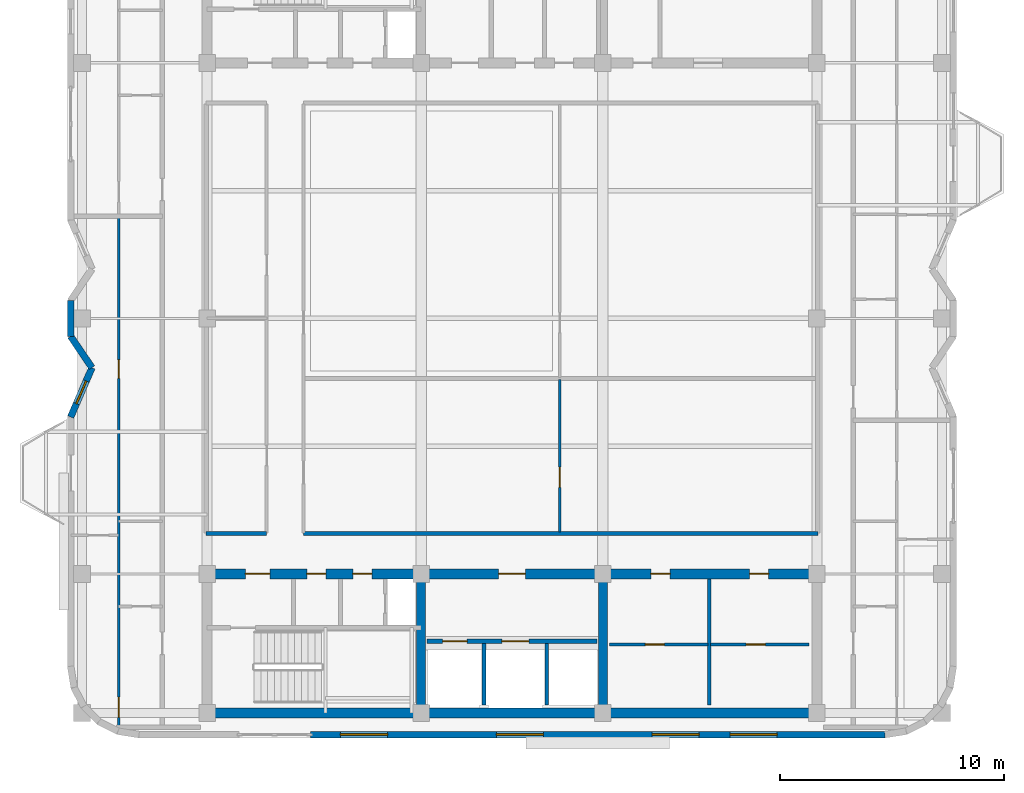
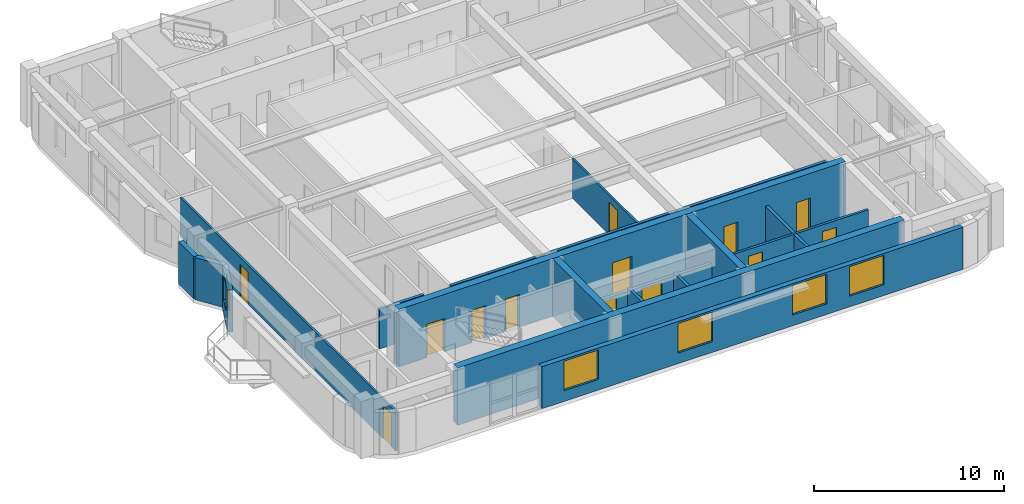
# One storey, part 5 of 11: 18 walls, 13 doors, 5 windows, 18 openings.
"""IFC4 building model written with IfcOpenShell, lengths in metres."""

from ifc_helpers import new_model, si_unit, direction, frame, frame_2d, origin, place, context, subcontext, project, spatial, rectangle, extrude, material, layer, layer_set, type_object, element, fill, save


model = new_model("IFC4")

# Units and contexts
model_context = context("Model", 3, precision=1e-05, world=origin(), true_north=direction((0.0, 1.0)))
body_context = subcontext(model_context, "Body", "Model", "MODEL_VIEW")
ifc_project = project(units=[si_unit("LENGTHUNIT", "METRE"), si_unit("AREAUNIT", "SQUARE_METRE"), si_unit("VOLUMEUNIT", "CUBIC_METRE"), si_unit("PLANEANGLEUNIT", "RADIAN"), si_unit("MASSUNIT", "GRAM", prefix="KILO")], contexts=[model_context])

# Site, building, storey
site_placement = place(None, origin())
site = spatial("IfcSite", under=ifc_project, at=site_placement, CompositionType="ELEMENT")
building_placement = place(site_placement, origin())
building = spatial("IfcBuilding", under=site, at=building_placement, Name="Svetorya Sky Lyceum", CompositionType="ELEMENT")
storey_placement = place(building_placement, frame((0.0, 0.0, 293.5)))
storey = spatial("IfcBuildingStorey", under=building, at=storey_placement, Name="L74", CompositionType="ELEMENT", Elevation=293.5)

# Walls
ifc_material_1 = material(Name="Concrete C40/50", Category="concrete")
ifc_layer_1 = layer(ifc_material_1, 0.39990234375)
ifc_layer_set_1 = layer_set([ifc_layer_1], Name="Concrete C40/50")
wall_type_1 = type_object("IfcWallType", Name="WL-CORE-400", PredefinedType="SHEAR", material=ifc_layer_set_1)
for number, where, z_axis, x_axis, name in (
    (1, (35.14990234375, 10.824951171875, 0.0), (0.0, 0.0, 1.0), (0.0, 1.0, 0.0), "L74 SC Internal Shear Web WEB1"),
    (2, (43.25, 10.824951171875, 0.0), (0.0, 0.0, 1.0), (0.0, 1.0, 0.0), "L74 SC Internal Shear Web WEB2"),
):
    element("IfcWall", number, at=place(storey_placement, frame(where, z_axis=z_axis, x_axis=x_axis)), inside=storey, type_object=wall_type_1, Name=name, PredefinedType="SHEAR", context=body_context, shape_type="SweptSolid", body=[
        extrude(rectangle(XDim=5.75, YDim=0.39990234375, at=frame_2d((2.875, 0.0))), origin(), (0.0, 0.0, 1.0), 3.699951171875),
    ])
ifc_material_2 = material(Name="Concrete C50/60", Category="concrete")
ifc_layer_2 = layer(ifc_material_2, 0.449951171875)
ifc_layer_set_2 = layer_set([ifc_layer_2], Name="Concrete C50/60")
wall_type_2 = type_object("IfcWallType", Name="WL-CORE-450", PredefinedType="SHEAR", material=ifc_layer_set_2)
wall_1_placement = place(storey_placement, frame((52.800048828125, 10.60009765625, 0.0), z_axis=(0.0, 0.0, 1.0), x_axis=(-1.0, 0.0, 0.0)))
element("IfcWall", 3, at=wall_1_placement, inside=storey, type_object=wall_type_2, Name="L74 SC Outer Core Shear Wall", PredefinedType="SHEAR", context=body_context, shape_type="SweptSolid", body=[
    extrude(rectangle(XDim=27.199951171875, YDim=0.449951171875, at=frame_2d((13.60009765625, 0.0))), origin(), (0.0, 0.0, 1.0), 3.699951171875),
])

# Wall, openings, doors
wall_2_placement = place(storey_placement, frame((25.60009765625, 16.800048828125, 0.0), z_axis=(0.0, 0.0, 1.0), x_axis=(1.0, 0.0, 0.0)))
wall_2 = element("IfcWall", 4, at=wall_2_placement, inside=storey, type_object=wall_type_2, Name="L74 SC Inner Core Shear Wall", PredefinedType="SHEAR", context=body_context, shape_type="SweptSolid", body=[
    extrude(rectangle(XDim=27.199951171875, YDim=0.449951171875, at=frame_2d((13.60009765625, 0.0))), origin(), (0.0, 0.0, 1.0), 3.699951171875),
])
opening_1_placement = place(wall_2_placement, frame((1.699951171875, 0.0, 0.0)))
opening_1 = element("IfcOpeningElement", 5, at=opening_1_placement, cuts=wall_2, Name="Opening D-ST1", PredefinedType="OPENING", context=body_context, shape_type="SweptSolid", body=[
    extrude(rectangle(XDim=1.10009765625, YDim=2.14990234375, at=frame_2d((0.550048828125, 1.074951171875))), frame((0.0, 0.23486328125, 0.0), z_axis=(0.0, -1.0, 0.0), x_axis=(1.0, 0.0, 0.0)), (0.0, 0.0, 1.0), 0.469970703125),
])
opening_2_placement = place(wall_2_placement, frame((4.449951171875, 0.0, 0.0)))
opening_2 = element("IfcOpeningElement", 6, at=opening_2_placement, cuts=wall_2, Name="Opening D-CWC1", PredefinedType="OPENING", context=body_context, shape_type="SweptSolid", body=[
    extrude(rectangle(XDim=0.85009765625, YDim=2.10009765625, at=frame_2d((0.425048828125, 1.050048828125))), frame((0.0, 0.23486328125, 0.0), z_axis=(0.0, -1.0, 0.0), x_axis=(1.0, 0.0, 0.0)), (0.0, 0.0, 1.0), 0.469970703125),
])
opening_3_placement = place(wall_2_placement, frame((6.5, 0.0, 0.0)))
opening_3 = element("IfcOpeningElement", 7, at=opening_3_placement, cuts=wall_2, Name="Opening D-CWC1", PredefinedType="OPENING", context=body_context, shape_type="SweptSolid", body=[
    extrude(rectangle(XDim=0.85009765625, YDim=2.10009765625, at=frame_2d((0.425048828125, 1.050048828125))), frame((0.0, 0.23486328125, 0.0), z_axis=(0.0, -1.0, 0.0), x_axis=(1.0, 0.0, 0.0)), (0.0, 0.0, 1.0), 0.469970703125),
])
opening_4_placement = place(wall_2_placement, frame((13.0, 0.0, 0.0)))
opening_4 = element("IfcOpeningElement", 8, at=opening_4_placement, cuts=wall_2, Name="Opening D-FL1", PredefinedType="OPENING", context=body_context, shape_type="SweptSolid", body=[
    extrude(rectangle(XDim=1.199951171875, YDim=2.14990234375, at=frame_2d((0.60009765625, 1.074951171875))), frame((0.0, 0.23486328125, 0.0), z_axis=(0.0, -1.0, 0.0), x_axis=(1.0, 0.0, 0.0)), (0.0, 0.0, 1.0), 0.469970703125),
])
opening_5_placement = place(wall_2_placement, frame((19.800048828125, 0.0, 0.0)))
opening_5 = element("IfcOpeningElement", 9, at=opening_5_placement, cuts=wall_2, Name="Opening D-CWC1", PredefinedType="OPENING", context=body_context, shape_type="SweptSolid", body=[
    extrude(rectangle(XDim=0.85009765625, YDim=2.10009765625, at=frame_2d((0.425048828125, 1.050048828125))), frame((0.0, 0.23486328125, 0.0), z_axis=(0.0, -1.0, 0.0), x_axis=(1.0, 0.0, 0.0)), (0.0, 0.0, 1.0), 0.469970703125),
])
opening_6_placement = place(wall_2_placement, frame((24.199951171875, 0.0, 0.0)))
opening_6 = element("IfcOpeningElement", 10, at=opening_6_placement, cuts=wall_2, Name="Opening D-CWC1", PredefinedType="OPENING", context=body_context, shape_type="SweptSolid", body=[
    extrude(rectangle(XDim=0.85009765625, YDim=2.10009765625, at=frame_2d((0.425048828125, 1.050048828125))), frame((0.0, 0.23486328125, 0.0), z_axis=(0.0, -1.0, 0.0), x_axis=(1.0, 0.0, 0.0)), (0.0, 0.0, 1.0), 0.469970703125),
])
ifc_material_3 = material(Name="Fire-rated galvanized steel core service closet door", Category="steel")
door_type_1 = type_object("IfcDoorType", Name="DR-CWET-850", OperationType="SINGLE_SWING_LEFT", PredefinedType="DOOR", material=ifc_material_3)
door_1_placement = place(opening_2_placement, origin())
door_1 = element("IfcDoor", 11, at=door_1_placement, inside=storey, type_object=door_type_1, Name="L74 South Mop Closet Door", OperationType="SINGLE_SWING_LEFT", OverallHeight=2.10009765625, OverallWidth=0.85009765625, PredefinedType="DOOR", context=body_context, shape_type="SweptSolid", body=[
    extrude(rectangle(XDim=0.85009765625, YDim=2.10009765625, at=frame_2d((0.425048828125, 1.050048828125))), frame((0.0, 0.02490234375, 0.0), z_axis=(0.0, -1.0, 0.0), x_axis=(1.0, 0.0, 0.0)), (0.0, 0.0, 1.0), 0.050048828125),
])
fill(opening_2, door_1)
door_2_placement = place(opening_3_placement, origin())
door_2 = element("IfcDoor", 12, at=door_2_placement, inside=storey, type_object=door_type_1, Name="L74 South West WC Door", OperationType="SINGLE_SWING_RIGHT", OverallHeight=2.10009765625, OverallWidth=0.85009765625, PredefinedType="DOOR", context=body_context, shape_type="SweptSolid", body=[
    extrude(rectangle(XDim=0.85009765625, YDim=2.10009765625, at=frame_2d((0.425048828125, 1.050048828125))), frame((0.0, 0.02490234375, 0.0), z_axis=(0.0, -1.0, 0.0), x_axis=(1.0, 0.0, 0.0)), (0.0, 0.0, 1.0), 0.050048828125),
])
fill(opening_3, door_2)
door_3_placement = place(opening_5_placement, origin())
door_3 = element("IfcDoor", 13, at=door_3_placement, inside=storey, type_object=door_type_1, Name="L74 Housekeeping Door", OperationType="SINGLE_SWING_LEFT", OverallHeight=2.10009765625, OverallWidth=0.85009765625, PredefinedType="DOOR", context=body_context, shape_type="SweptSolid", body=[
    extrude(rectangle(XDim=0.85009765625, YDim=2.10009765625, at=frame_2d((0.425048828125, 1.050048828125))), frame((0.0, 0.02490234375, 0.0), z_axis=(0.0, -1.0, 0.0), x_axis=(1.0, 0.0, 0.0)), (0.0, 0.0, 1.0), 0.050048828125),
])
fill(opening_5, door_3)
door_4_placement = place(opening_6_placement, origin())
door_4 = element("IfcDoor", 14, at=door_4_placement, inside=storey, type_object=door_type_1, Name="L74 South WC Door", OperationType="SINGLE_SWING_RIGHT", OverallHeight=2.10009765625, OverallWidth=0.85009765625, PredefinedType="DOOR", context=body_context, shape_type="SweptSolid", body=[
    extrude(rectangle(XDim=0.85009765625, YDim=2.10009765625, at=frame_2d((0.425048828125, 1.050048828125))), frame((0.0, 0.02490234375, 0.0), z_axis=(0.0, -1.0, 0.0), x_axis=(1.0, 0.0, 0.0)), (0.0, 0.0, 1.0), 0.050048828125),
])
fill(opening_6, door_4)
ifc_material_4 = material(Name="Powder-coated insulated galvanized stair fire door")
door_type_2 = type_object("IfcDoorType", Name="DR-FIRE-1100", OperationType="SINGLE_SWING_LEFT", PredefinedType="DOOR", material=ifc_material_4)
door_5_placement = place(opening_1_placement, origin())
door_5 = element("IfcDoor", 15, at=door_5_placement, inside=storey, type_object=door_type_2, Name="L74 South Stair Airlock Door", OperationType="SINGLE_SWING_RIGHT", OverallHeight=2.14990234375, OverallWidth=1.10009765625, PredefinedType="DOOR", context=body_context, shape_type="SweptSolid", body=[
    extrude(rectangle(XDim=1.10009765625, YDim=2.14990234375, at=frame_2d((0.550048828125, 1.074951171875))), frame((0.0, 0.02490234375, 0.0), z_axis=(0.0, -1.0, 0.0), x_axis=(1.0, 0.0, 0.0)), (0.0, 0.0, 1.0), 0.050048828125),
])
fill(opening_1, door_5)
ifc_material_5 = material(Name="Powder-coated insulated galvanized fire door")
door_type_3 = type_object("IfcDoorType", Name="DR-FIRE-1200", OperationType="SINGLE_SWING_LEFT", PredefinedType="DOOR", material=ifc_material_5)
door_6_placement = place(opening_4_placement, origin())
door_6 = element("IfcDoor", 16, at=door_6_placement, inside=storey, type_object=door_type_3, Name="L74 South Firefighting Lift Lobby Door", OperationType="SINGLE_SWING_LEFT", OverallHeight=2.14990234375, OverallWidth=1.199951171875, PredefinedType="DOOR", context=body_context, shape_type="SweptSolid", body=[
    extrude(rectangle(XDim=1.199951171875, YDim=2.14990234375, at=frame_2d((0.60009765625, 1.074951171875))), frame((0.0, 0.02490234375, 0.0), z_axis=(0.0, -1.0, 0.0), x_axis=(1.0, 0.0, 0.0)), (0.0, 0.0, 1.0), 0.050048828125),
])
fill(opening_4, door_6)

# Wall, openings, windows
ifc_material_6 = material(Name="Putilovo limestone rainscreen on autoclaved cellular masonry", Category="masonry")
ifc_layer_3 = layer(ifc_material_6, 0.300048828125)
ifc_layer_set_3 = layer_set([ifc_layer_3], Name="Putilovo limestone rainscreen on autoclaved cellular masonry")
wall_type_3 = type_object("IfcWallType", Name="WL-EXT-300", PredefinedType="SOLIDWALL", material=ifc_layer_set_3)
wall_3_placement = place(storey_placement, frame((30.2099609375, 9.6298828125, 0.0), z_axis=(0.0, 0.0, 1.0), x_axis=(1.0, 0.0, 0.0)))
wall_3 = element("IfcWall", 17, at=wall_3_placement, inside=storey, type_object=wall_type_3, Name="L74 Limestone Exterior Wall 6B", PredefinedType="SOLIDWALL", context=body_context, shape_type="SweptSolid", body=[
    extrude(rectangle(XDim=25.630126953125, YDim=0.300048828125, at=frame_2d((12.81494140625, 0.0))), origin(), (0.0, 0.0, 1.0), 2.7099609375),
])
opening_7_placement = place(wall_3_placement, frame((1.337890625, 0.0, 0.68994140625)))
opening_7 = element("IfcOpeningElement", 18, at=opening_7_placement, cuts=wall_3, Name="Opening W-R0", PredefinedType="OPENING", context=body_context, shape_type="SweptSolid", body=[
    extrude(rectangle(XDim=2.10009765625, YDim=1.89990234375, at=frame_2d((1.050048828125, 0.949951171875))), frame((0.0, 0.159912109375, 0.0), z_axis=(0.0, -1.0, 0.0), x_axis=(1.0, 0.0, 0.0)), (0.0, 0.0, 1.0), 0.320068359375),
])
opening_8_placement = place(wall_3_placement, frame((8.289306640625, 0.0, 0.68994140625)))
opening_8 = element("IfcOpeningElement", 19, at=opening_8_placement, cuts=wall_3, Name="Opening W-R0", PredefinedType="OPENING", context=body_context, shape_type="SweptSolid", body=[
    extrude(rectangle(XDim=2.10009765625, YDim=1.89990234375, at=frame_2d((1.050048828125, 0.949951171875))), frame((0.0, 0.159912109375, 0.0), z_axis=(0.0, -1.0, 0.0), x_axis=(1.0, 0.0, 0.0)), (0.0, 0.0, 1.0), 0.320068359375),
])
opening_9_placement = place(wall_3_placement, frame((15.24072265625, 0.0, 0.68994140625)))
opening_9 = element("IfcOpeningElement", 20, at=opening_9_placement, cuts=wall_3, Name="Opening W-R0", PredefinedType="OPENING", context=body_context, shape_type="SweptSolid", body=[
    extrude(rectangle(XDim=2.10009765625, YDim=1.89990234375, at=frame_2d((1.050048828125, 0.949951171875))), frame((0.0, 0.159912109375, 0.0), z_axis=(0.0, -1.0, 0.0), x_axis=(1.0, 0.0, 0.0)), (0.0, 0.0, 1.0), 0.320068359375),
])
opening_10_placement = place(wall_3_placement, frame((18.71630859375, 0.0, 0.68994140625)))
opening_10 = element("IfcOpeningElement", 21, at=opening_10_placement, cuts=wall_3, Name="Opening W-R0", PredefinedType="OPENING", context=body_context, shape_type="SweptSolid", body=[
    extrude(rectangle(XDim=2.10009765625, YDim=1.89990234375, at=frame_2d((1.050048828125, 0.949951171875))), frame((0.0, 0.159912109375, 0.0), z_axis=(0.0, -1.0, 0.0), x_axis=(1.0, 0.0, 0.0)), (0.0, 0.0, 1.0), 0.320068359375),
])
ifc_material_7 = material(Name="Thermally broken aluminium frame with triple low-E glazing", Category="aluminium")
window_type_1 = type_object("IfcWindowType", Name="WN-RES-210", PartitioningType="TRIPLE_PANEL_VERTICAL", PredefinedType="WINDOW", material=ifc_material_7)
window_1_placement = place(opening_7_placement, origin())
window_1 = element("IfcWindow", 22, at=window_1_placement, inside=storey, type_object=window_type_1, Name="L74 Facade Window W-R0.6B.1", OverallHeight=1.89990234375, OverallWidth=2.10009765625, PartitioningType="SINGLE_PANEL", PredefinedType="WINDOW", context=body_context, shape_type="SweptSolid", body=[
    extrude(rectangle(XDim=2.10009765625, YDim=1.89990234375, at=frame_2d((1.050048828125, 0.949951171875))), frame((0.0, 0.030029296875, 0.0), z_axis=(0.0, -1.0, 0.0), x_axis=(1.0, 0.0, 0.0)), (0.0, 0.0, 1.0), 0.06005859375),
])
fill(opening_7, window_1)
window_2_placement = place(opening_8_placement, origin())
window_2 = element("IfcWindow", 23, at=window_2_placement, inside=storey, type_object=window_type_1, Name="L74 Facade Window W-R0.6B.2", OverallHeight=1.89990234375, OverallWidth=2.10009765625, PartitioningType="SINGLE_PANEL", PredefinedType="WINDOW", context=body_context, shape_type="SweptSolid", body=[
    extrude(rectangle(XDim=2.10009765625, YDim=1.89990234375, at=frame_2d((1.050048828125, 0.949951171875))), frame((0.0, 0.030029296875, 0.0), z_axis=(0.0, -1.0, 0.0), x_axis=(1.0, 0.0, 0.0)), (0.0, 0.0, 1.0), 0.06005859375),
])
fill(opening_8, window_2)
window_3_placement = place(opening_9_placement, origin())
window_3 = element("IfcWindow", 24, at=window_3_placement, inside=storey, type_object=window_type_1, Name="L74 Facade Window W-R0.6B.3", OverallHeight=1.89990234375, OverallWidth=2.10009765625, PartitioningType="SINGLE_PANEL", PredefinedType="WINDOW", context=body_context, shape_type="SweptSolid", body=[
    extrude(rectangle(XDim=2.10009765625, YDim=1.89990234375, at=frame_2d((1.050048828125, 0.949951171875))), frame((0.0, 0.030029296875, 0.0), z_axis=(0.0, -1.0, 0.0), x_axis=(1.0, 0.0, 0.0)), (0.0, 0.0, 1.0), 0.06005859375),
])
fill(opening_9, window_3)
window_4_placement = place(opening_10_placement, origin())
window_4 = element("IfcWindow", 25, at=window_4_placement, inside=storey, type_object=window_type_1, Name="L74 Facade Window W-R0.6B.4", OverallHeight=1.89990234375, OverallWidth=2.10009765625, PartitioningType="SINGLE_PANEL", PredefinedType="WINDOW", context=body_context, shape_type="SweptSolid", body=[
    extrude(rectangle(XDim=2.10009765625, YDim=1.89990234375, at=frame_2d((1.050048828125, 0.949951171875))), frame((0.0, 0.030029296875, 0.0), z_axis=(0.0, -1.0, 0.0), x_axis=(1.0, 0.0, 0.0)), (0.0, 0.0, 1.0), 0.06005859375),
])
fill(opening_10, window_4)

# Walls
wall_4_placement = place(storey_placement, frame((19.510009765625, 29.0, 0.0), z_axis=(0.0, 0.0, 1.0), x_axis=(0.0, -1.0, 0.0)))
element("IfcWall", 26, at=wall_4_placement, inside=storey, type_object=wall_type_3, Name="L74 Limestone Exterior Wall 33M", PredefinedType="SOLIDWALL", context=body_context, shape_type="SweptSolid", body=[
    extrude(rectangle(XDim=1.60009765625, YDim=0.300048828125, at=frame_2d((0.800048828125, 0.0))), origin(), (0.0, 0.0, 1.0), 2.7099609375),
])
wall_5_placement = place(storey_placement, frame((19.510009765625, 27.39990234375, 0.0), z_axis=(0.0, 0.0, 1.0), x_axis=(0.561508476251, -0.827470985049, 0.0)))
element("IfcWall", 27, at=wall_5_placement, inside=storey, type_object=wall_type_3, Name="L74 Limestone Exterior Wall 34M", PredefinedType="SOLIDWALL", context=body_context, shape_type="SweptSolid", body=[
    extrude(rectangle(XDim=1.69189453125, YDim=0.300048828125, at=frame_2d((0.845947265625, 0.0))), origin(), (0.0, 0.0, 1.0), 2.7099609375),
])

# Wall, opening, window
wall_6_placement = place(storey_placement, frame((20.4599609375, 26.0, 0.0), z_axis=(0.0, 0.0, 1.0), x_axis=(-0.396426258231, -0.918066567186, 0.0)))
wall_6 = element("IfcWall", 28, at=wall_6_placement, inside=storey, type_object=wall_type_3, Name="L74 Limestone Exterior Wall 35M", PredefinedType="SOLIDWALL", context=body_context, shape_type="SweptSolid", body=[
    extrude(rectangle(XDim=2.396240234375, YDim=0.300048828125, at=frame_2d((1.1982421875, 0.0))), origin(), (0.0, 0.0, 1.0), 2.7099609375),
])
opening_11_placement = place(wall_6_placement, frame((0.648193359375, 0.0, 0.89990234375)))
opening_11 = element("IfcOpeningElement", 29, at=opening_11_placement, cuts=wall_6, Name="Opening W-R3", PredefinedType="OPENING", context=body_context, shape_type="SweptSolid", body=[
    extrude(rectangle(XDim=1.10009765625, YDim=1.64990234375, at=frame_2d((0.550048828125, 0.824951171875))), frame((0.0, 0.159912109375, 0.0), z_axis=(0.0, -1.0, 0.0), x_axis=(1.0, 0.0, 0.0)), (0.0, 0.0, 1.0), 0.320068359375),
])
window_type_2 = type_object("IfcWindowType", Name="WN-RES-110", PartitioningType="SINGLE_PANEL", PredefinedType="WINDOW", material=ifc_material_7)
window_5_placement = place(opening_11_placement, origin())
window_5 = element("IfcWindow", 30, at=window_5_placement, inside=storey, type_object=window_type_2, Name="L74 Facade Window W-R3.35M.1", OverallHeight=1.64990234375, OverallWidth=1.10009765625, PartitioningType="SINGLE_PANEL", PredefinedType="WINDOW", context=body_context, shape_type="SweptSolid", body=[
    extrude(rectangle(XDim=1.10009765625, YDim=1.64990234375, at=frame_2d((0.550048828125, 0.824951171875))), frame((0.0, 0.030029296875, 0.0), z_axis=(0.0, -1.0, 0.0), x_axis=(1.0, 0.0, 0.0)), (0.0, 0.0, 1.0), 0.06005859375),
])
fill(opening_11, window_5)

# Wall, opening, door
ifc_material_8 = material(Name="Twin-stud galvanized framing with double fireboard", Category="gypsum")
ifc_layer_4 = layer(ifc_material_8, 0.1201171875)
ifc_layer_set_4 = layer_set([ifc_layer_4], Name="Twin-stud galvanized framing with double fireboard")
wall_type_4 = type_object("IfcWallType", Name="WL-PART-120", PredefinedType="PARTITIONING", material=ifc_layer_set_4)
wall_7_placement = place(storey_placement, frame((41.3349609375, 18.659912109375, 0.0), z_axis=(0.0, 0.0, 1.0), x_axis=(0.0, 1.0, 0.0)))
wall_7 = element("IfcWall", 31, at=wall_7_placement, inside=storey, type_object=wall_type_4, Name="L74 Interior Partition OFF-VEM1", PredefinedType="PARTITIONING", context=body_context, shape_type="SweptSolid", body=[
    extrude(rectangle(XDim=6.820556640625, YDim=0.1201171875, at=frame_2d((3.41015625, 0.0))), origin(), (0.0, 0.0, 1.0), 2.5400390625),
])
opening_12_placement = place(wall_7_placement, frame((2.0, 0.0, 0.0)))
opening_12 = element("IfcOpeningElement", 32, at=opening_12_placement, cuts=wall_7, Name="Opening D-RM1", PredefinedType="OPENING", context=body_context, shape_type="SweptSolid", body=[
    extrude(rectangle(XDim=0.89990234375, YDim=2.10009765625, at=frame_2d((0.449951171875, 1.050048828125))), frame((0.0, 0.070068359375, 0.0), z_axis=(0.0, -1.0, 0.0), x_axis=(1.0, 0.0, 0.0)), (0.0, 0.0, 1.0), 0.14013671875),
])
ifc_material_9 = material(Name="Lacquered birch veneer internal door")
door_type_4 = type_object("IfcDoorType", Name="DR-INT-900", OperationType="SINGLE_SWING_LEFT", PredefinedType="DOOR", material=ifc_material_9)
door_7_placement = place(opening_12_placement, origin())
door_7 = element("IfcDoor", 33, at=door_7_placement, inside=storey, type_object=door_type_4, Name="L74 East Study Door", OperationType="SINGLE_SWING_LEFT", OverallHeight=2.10009765625, OverallWidth=0.89990234375, PredefinedType="DOOR", context=body_context, shape_type="SweptSolid", body=[
    extrude(rectangle(XDim=0.89990234375, YDim=2.10009765625, at=frame_2d((0.449951171875, 1.050048828125))), frame((0.0, 0.02490234375, 0.0), z_axis=(0.0, -1.0, 0.0), x_axis=(1.0, 0.0, 0.0)), (0.0, 0.0, 1.0), 0.050048828125),
])
fill(opening_12, door_7)

# Wall, openings, doors
wall_8_placement = place(storey_placement, frame((21.64990234375, 9.989990234375, 0.0), z_axis=(0.0, 0.0, 1.0), x_axis=(0.0, 1.0, 0.0)))
wall_8 = element("IfcWall", 34, at=wall_8_placement, inside=storey, type_object=wall_type_4, Name="L74 Interior Partition W1-WV", PredefinedType="PARTITIONING", context=body_context, shape_type="SweptSolid", body=[
    extrude(rectangle(XDim=22.719970703125, YDim=0.1201171875, at=frame_2d((11.35986328125, 0.0))), origin(), (0.0, 0.0, 1.0), 2.5400390625),
])
opening_13_placement = place(wall_8_placement, frame((0.409912109375, 0.0, 0.0)))
opening_13 = element("IfcOpeningElement", 35, at=opening_13_placement, cuts=wall_8, Name="Opening D-RM1", PredefinedType="OPENING", context=body_context, shape_type="SweptSolid", body=[
    extrude(rectangle(XDim=0.89990234375, YDim=2.10009765625, at=frame_2d((0.449951171875, 1.050048828125))), frame((0.0, 0.070068359375, 0.0), z_axis=(0.0, -1.0, 0.0), x_axis=(1.0, 0.0, 0.0)), (0.0, 0.0, 1.0), 0.14013671875),
])
opening_14_placement = place(wall_8_placement, frame((15.534912109375, 0.0, 0.0)))
opening_14 = element("IfcOpeningElement", 36, at=opening_14_placement, cuts=wall_8, Name="Opening D-BT2", PredefinedType="OPENING", context=body_context, shape_type="SweptSolid", body=[
    extrude(rectangle(XDim=0.820068359375, YDim=2.080078125, at=frame_2d((0.41015625, 1.0400390625))), frame((0.0, 0.070068359375, 0.0), z_axis=(0.0, -1.0, 0.0), x_axis=(1.0, 0.0, 0.0)), (0.0, 0.0, 1.0), 0.14013671875),
])
door_8_placement = place(opening_13_placement, origin())
door_8 = element("IfcDoor", 37, at=door_8_placement, inside=storey, type_object=door_type_4, Name="Apartment W1 Living Door", OperationType="SINGLE_SWING_RIGHT", OverallHeight=2.10009765625, OverallWidth=0.89990234375, PredefinedType="DOOR", context=body_context, shape_type="SweptSolid", body=[
    extrude(rectangle(XDim=0.89990234375, YDim=2.10009765625, at=frame_2d((0.449951171875, 1.050048828125))), frame((0.0, 0.02490234375, 0.0), z_axis=(0.0, -1.0, 0.0), x_axis=(1.0, 0.0, 0.0)), (0.0, 0.0, 1.0), 0.050048828125),
])
fill(opening_13, door_8)
ifc_material_10 = material(Name="Compact moisture-resistant laminate closet door")
door_type_5 = type_object("IfcDoorType", Name="DR-WET-820", OperationType="SINGLE_SWING_LEFT", PredefinedType="DOOR", material=ifc_material_10)
door_9_placement = place(opening_14_placement, origin())
door_9 = element("IfcDoor", 38, at=door_9_placement, inside=storey, type_object=door_type_5, Name="Apartment W1 Study Door", OperationType="SINGLE_SWING_LEFT", OverallHeight=2.080078125, OverallWidth=0.820068359375, PredefinedType="DOOR", context=body_context, shape_type="SweptSolid", body=[
    extrude(rectangle(XDim=0.820068359375, YDim=2.080078125, at=frame_2d((0.41015625, 1.0400390625))), frame((0.0, 0.02490234375, 0.0), z_axis=(0.0, -1.0, 0.0), x_axis=(1.0, 0.0, 0.0)), (0.0, 0.0, 1.0), 0.050048828125),
])
fill(opening_14, door_9)

# Wall, opening, door
ifc_material_11 = material(Name="Autoclaved cellular masonry blockwork with acoustic render", Category="masonry")
ifc_layer_5 = layer(ifc_material_11, 0.14990234375)
ifc_layer_set_5 = layer_set([ifc_layer_5], Name="Autoclaved cellular masonry blockwork with acoustic render")
wall_type_5 = type_object("IfcWallType", Name="WL-PART-150", PredefinedType="PARTITIONING", material=ifc_layer_set_5)
wall_9_placement = place(storey_placement, frame((43.550048828125, 13.64990234375, 0.0), z_axis=(0.0, 0.0, 1.0), x_axis=(1.0, 0.0, 0.0)))
wall_9 = element("IfcWall", 39, at=wall_9_placement, inside=storey, type_object=wall_type_5, Name="L74 Interior Partition SC-LV7-HW", PredefinedType="PARTITIONING", context=body_context, shape_type="SweptSolid", body=[
    extrude(rectangle(XDim=4.39990234375, YDim=0.14990234375, at=frame_2d((2.199951171875, 0.0))), origin(), (0.0, 0.0, 1.0), 2.5400390625),
])
opening_15_placement = place(wall_9_placement, frame((1.60009765625, 0.0, 0.0)))
opening_15 = element("IfcOpeningElement", 40, at=opening_15_placement, cuts=wall_9, Name="Opening D-CWC1", PredefinedType="OPENING", context=body_context, shape_type="SweptSolid", body=[
    extrude(rectangle(XDim=0.85009765625, YDim=2.10009765625, at=frame_2d((0.425048828125, 1.050048828125))), frame((0.0, 0.0849609375, 0.0), z_axis=(0.0, -1.0, 0.0), x_axis=(1.0, 0.0, 0.0)), (0.0, 0.0, 1.0), 0.169921875),
])
door_10_placement = place(opening_15_placement, origin())
door_10 = element("IfcDoor", 41, at=door_10_placement, inside=storey, type_object=door_type_1, Name="L74 South Electrical Room Door", OperationType="SINGLE_SWING_LEFT", OverallHeight=2.10009765625, OverallWidth=0.85009765625, PredefinedType="DOOR", context=body_context, shape_type="SweptSolid", body=[
    extrude(rectangle(XDim=0.85009765625, YDim=2.10009765625, at=frame_2d((0.425048828125, 1.050048828125))), frame((0.0, 0.02490234375, 0.0), z_axis=(0.0, -1.0, 0.0), x_axis=(1.0, 0.0, 0.0)), (0.0, 0.0, 1.0), 0.050048828125),
])
fill(opening_15, door_10)

wall_10_placement = place(storey_placement, frame((48.050048828125, 13.64990234375, 0.0), z_axis=(0.0, 0.0, 1.0), x_axis=(1.0, 0.0, 0.0)))
wall_10 = element("IfcWall", 42, at=wall_10_placement, inside=storey, type_object=wall_type_5, Name="L74 Interior Partition SC-LV7-HE", PredefinedType="PARTITIONING", context=body_context, shape_type="SweptSolid", body=[
    extrude(rectangle(XDim=4.39990234375, YDim=0.14990234375, at=frame_2d((2.199951171875, 0.0))), origin(), (0.0, 0.0, 1.0), 2.5400390625),
])
opening_16_placement = place(wall_10_placement, frame((1.60009765625, 0.0, 0.0)))
opening_16 = element("IfcOpeningElement", 43, at=opening_16_placement, cuts=wall_10, Name="Opening D-CWC1", PredefinedType="OPENING", context=body_context, shape_type="SweptSolid", body=[
    extrude(rectangle(XDim=0.85009765625, YDim=2.10009765625, at=frame_2d((0.425048828125, 1.050048828125))), frame((0.0, 0.0849609375, 0.0), z_axis=(0.0, -1.0, 0.0), x_axis=(1.0, 0.0, 0.0)), (0.0, 0.0, 1.0), 0.169921875),
])
door_11_placement = place(opening_16_placement, origin())
door_11 = element("IfcDoor", 44, at=door_11_placement, inside=storey, type_object=door_type_1, Name="L74 South Server Closet Door", OperationType="SINGLE_SWING_RIGHT", OverallHeight=2.10009765625, OverallWidth=0.85009765625, PredefinedType="DOOR", context=body_context, shape_type="SweptSolid", body=[
    extrude(rectangle(XDim=0.85009765625, YDim=2.10009765625, at=frame_2d((0.425048828125, 1.050048828125))), frame((0.0, 0.02490234375, 0.0), z_axis=(0.0, -1.0, 0.0), x_axis=(1.0, 0.0, 0.0)), (0.0, 0.0, 1.0), 0.050048828125),
])
fill(opening_16, door_11)

# Walls
ifc_material_12 = material(Name="Autoclaved cellular masonry blockwork with fire render", Category="masonry")
ifc_layer_6 = layer(ifc_material_12, 0.175048828125)
ifc_layer_set_6 = layer_set([ifc_layer_6], Name="Autoclaved cellular masonry blockwork with fire render")
wall_type_6 = type_object("IfcWallType", Name="WL-PART-175", PredefinedType="PARTITIONING", material=ifc_layer_set_6)
for number, where, z_axis, x_axis, name in (
    (45, (37.949951171875, 10.949951171875, 0.0), (0.0, 0.0, 1.0), (0.0, 1.0, 0.0), "L74 Interior Partition SC-SHD1"),
    (46, (40.75, 10.949951171875, 0.0), (0.0, 0.0, 1.0), (0.0, 1.0, 0.0), "L74 Interior Partition SC-SHD2"),
):
    element("IfcWall", number, at=place(storey_placement, frame(where, z_axis=z_axis, x_axis=x_axis)), inside=storey, type_object=wall_type_6, Name=name, PredefinedType="PARTITIONING", context=body_context, shape_type="SweptSolid", body=[
        extrude(rectangle(XDim=2.75, YDim=0.175048828125, at=frame_2d((1.375, 0.0))), origin(), (0.0, 0.0, 1.0), 2.5400390625),
    ])
wall_11_placement = place(storey_placement, frame((48.0, 10.949951171875, 0.0), z_axis=(0.0, 0.0, 1.0), x_axis=(0.0, 1.0, 0.0)))
element("IfcWall", 47, at=wall_11_placement, inside=storey, type_object=wall_type_6, Name="L74 Interior Partition SC-LV7-V", PredefinedType="PARTITIONING", context=body_context, shape_type="SweptSolid", body=[
    extrude(rectangle(XDim=5.630126953125, YDim=0.175048828125, at=frame_2d((2.81494140625, 0.0))), origin(), (0.0, 0.0, 1.0), 2.5400390625),
])
wall_12_placement = place(storey_placement, frame((25.550048828125, 18.60009765625, 0.0), z_axis=(0.0, 0.0, 1.0), x_axis=(1.0, 0.0, 0.0)))
element("IfcWall", 48, at=wall_12_placement, inside=storey, type_object=wall_type_6, Name="L74 Interior Partition OFF-CS-W", PredefinedType="PARTITIONING", context=body_context, shape_type="SweptSolid", body=[
    extrude(rectangle(XDim=2.699951171875, YDim=0.175048828125, at=frame_2d((1.35009765625, 0.0))), origin(), (0.0, 0.0, 1.0), 2.5400390625),
])
wall_13_placement = place(storey_placement, frame((29.89990234375, 18.60009765625, 0.0), z_axis=(0.0, 0.0, 1.0), x_axis=(1.0, 0.0, 0.0)))
element("IfcWall", 49, at=wall_13_placement, inside=storey, type_object=wall_type_6, Name="L74 Interior Partition OFF-CS-E", PredefinedType="PARTITIONING", context=body_context, shape_type="SweptSolid", body=[
    extrude(rectangle(XDim=22.9501953125, YDim=0.175048828125, at=frame_2d((11.47509765625, 0.0))), origin(), (0.0, 0.0, 1.0), 2.5400390625),
])

# Wall, openings, doors
ifc_material_13 = material(Name="Autoclaved cellular masonry blockwork with gypsum plaster", Category="masonry")
ifc_layer_7 = layer(ifc_material_13, 0.199951171875)
ifc_layer_set_7 = layer_set([ifc_layer_7], Name="Autoclaved cellular masonry blockwork with gypsum plaster")
wall_type_7 = type_object("IfcWallType", Name="WL-PART-200", PredefinedType="PARTITIONING", material=ifc_layer_set_7)
wall_14_placement = place(storey_placement, frame((35.39990234375, 13.800048828125, 0.0), z_axis=(0.0, 0.0, 1.0), x_axis=(1.0, 0.0, 0.0)))
wall_14 = element("IfcWall", 50, at=wall_14_placement, inside=storey, type_object=wall_type_7, Name="L74 Interior Partition SC-FLW", PredefinedType="PARTITIONING", context=body_context, shape_type="SweptSolid", body=[
    extrude(rectangle(XDim=7.60009765625, YDim=0.199951171875, at=frame_2d((3.800048828125, 0.0))), origin(), (0.0, 0.0, 1.0), 2.31005859375),
])
opening_17_placement = place(wall_14_placement, frame((0.699951171875, 0.0, 0.0)))
opening_17 = element("IfcOpeningElement", 51, at=opening_17_placement, cuts=wall_14, Name="Opening LD-FL", PredefinedType="OPENING", context=body_context, shape_type="SweptSolid", body=[
    extrude(rectangle(XDim=1.10009765625, YDim=2.14990234375, at=frame_2d((0.550048828125, 1.074951171875))), frame((0.0, 0.10986328125, 0.0), z_axis=(0.0, -1.0, 0.0), x_axis=(1.0, 0.0, 0.0)), (0.0, 0.0, 1.0), 0.219970703125),
])
opening_18_placement = place(wall_14_placement, frame((3.35009765625, 0.0, 0.0)))
opening_18 = element("IfcOpeningElement", 52, at=opening_18_placement, cuts=wall_14, Name="Opening LD-SV", PredefinedType="OPENING", context=body_context, shape_type="SweptSolid", body=[
    extrude(rectangle(XDim=1.199951171875, YDim=2.14990234375, at=frame_2d((0.60009765625, 1.074951171875))), frame((0.0, 0.10986328125, 0.0), z_axis=(0.0, -1.0, 0.0), x_axis=(1.0, 0.0, 0.0)), (0.0, 0.0, 1.0), 0.219970703125),
])
ifc_material_14 = material(Name="Fire-rated stainless AISI 304 firefighting lift landing door")
door_type_6 = type_object("IfcDoorType", Name="DR-LIFT-1100", OperationType="SLIDING_TO_LEFT", PredefinedType="DOOR", material=ifc_material_14)
door_12_placement = place(opening_17_placement, origin())
door_12 = element("IfcDoor", 53, at=door_12_placement, inside=storey, type_object=door_type_6, Name="L74 Firefighting Lift FL2 Landing Door", OperationType="SLIDING_TO_LEFT", OverallHeight=2.14990234375, OverallWidth=1.10009765625, PredefinedType="DOOR", context=body_context, shape_type="SweptSolid", body=[
    extrude(rectangle(XDim=1.10009765625, YDim=2.14990234375, at=frame_2d((0.550048828125, 1.074951171875))), frame((0.0, 0.02490234375, 0.0), z_axis=(0.0, -1.0, 0.0), x_axis=(1.0, 0.0, 0.0)), (0.0, 0.0, 1.0), 0.050048828125),
])
fill(opening_17, door_12)
ifc_material_15 = material(Name="Brushed stainless AISI 304 telescopic lift landing door")
door_type_7 = type_object("IfcDoorType", Name="DR-LIFT-1200", OperationType="SLIDING_TO_LEFT", PredefinedType="DOOR", material=ifc_material_15)
door_13_placement = place(opening_18_placement, origin())
door_13 = element("IfcDoor", 54, at=door_13_placement, inside=storey, type_object=door_type_7, Name="L74 Service Lift SVL1 Landing Door", OperationType="SLIDING_TO_LEFT", OverallHeight=2.14990234375, OverallWidth=1.199951171875, PredefinedType="DOOR", context=body_context, shape_type="SweptSolid", body=[
    extrude(rectangle(XDim=1.199951171875, YDim=2.14990234375, at=frame_2d((0.60009765625, 1.074951171875))), frame((0.0, 0.02490234375, 0.0), z_axis=(0.0, -1.0, 0.0), x_axis=(1.0, 0.0, 0.0)), (0.0, 0.0, 1.0), 0.050048828125),
])
fill(opening_18, door_13)

save(model, "model.ifc")
